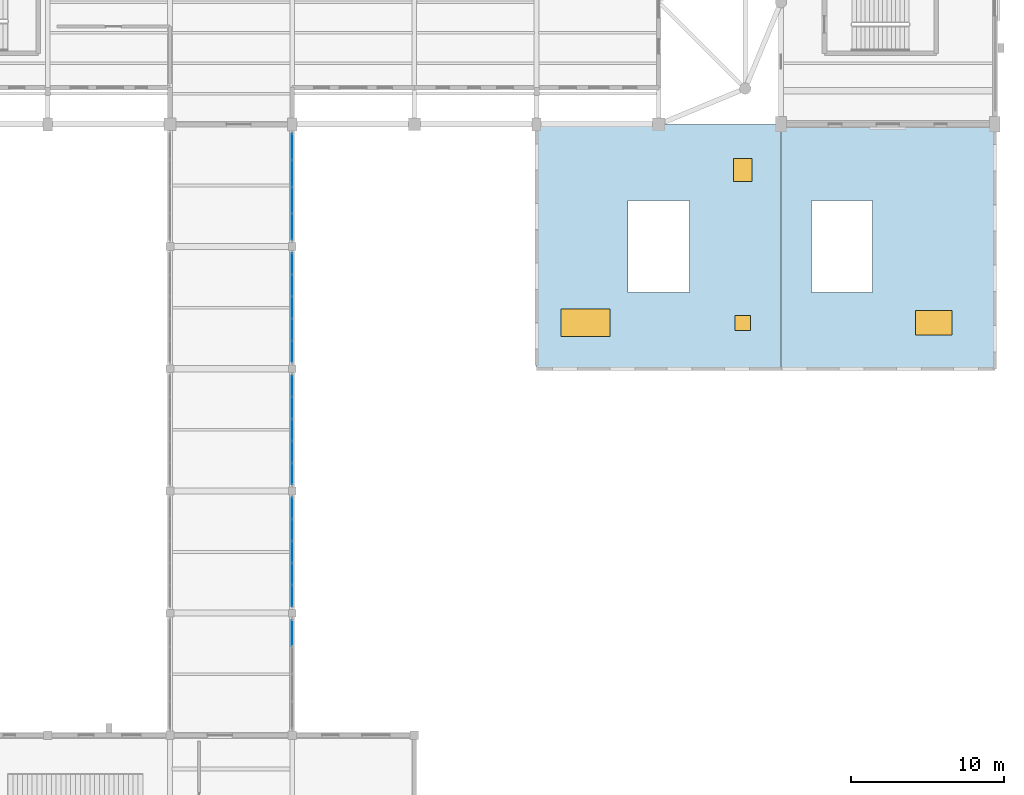
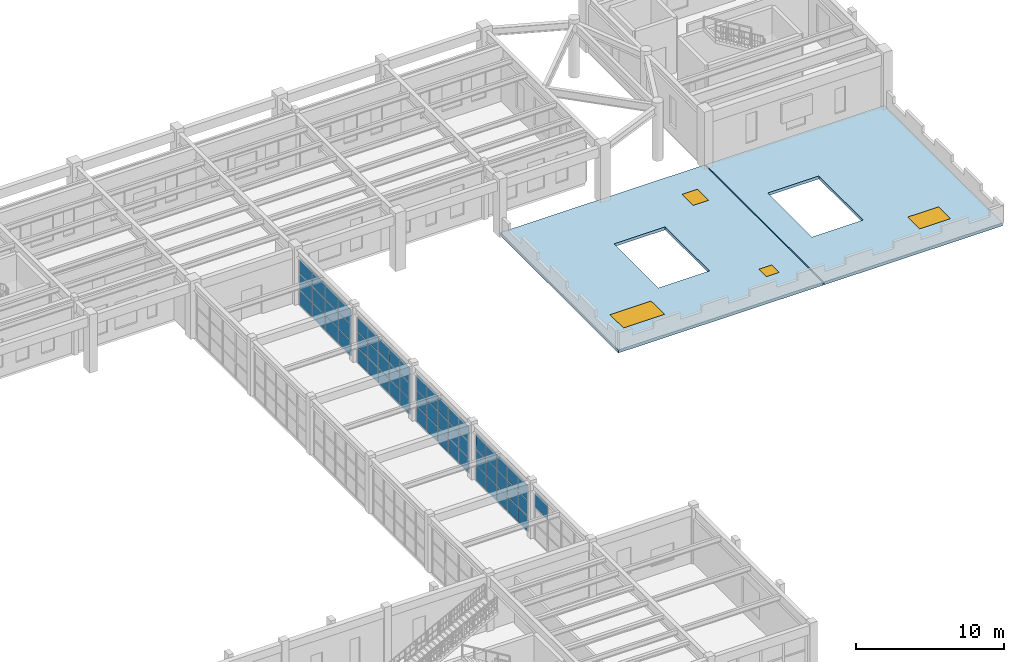
# One storey, part 36 of 59: 58 plates, 2 doors, 2 slabs, 2 windows, 4 openings, 5 elements without a shape of their own.
"""IFC4 building model written with IfcOpenShell, lengths in metres."""

from ifc_helpers import new_model, si_unit, direction, frame, origin, origin_2d, place, context, subcontext, project, spatial, polyline, rectangle, outline, extrude, material, layer, layer_set, type_object, element, fill, aggregate, save


model = new_model("IFC4")

# Units and contexts
model_context = context("Model", 3, precision=1e-05, world=origin(), true_north=direction((0.0, 1.0)))
body_context = subcontext(model_context, "Body", "Model", "MODEL_VIEW")
ifc_project = project(units=[si_unit("LENGTHUNIT", "METRE"), si_unit("AREAUNIT", "SQUARE_METRE"), si_unit("VOLUMEUNIT", "CUBIC_METRE"), si_unit("PLANEANGLEUNIT", "RADIAN"), si_unit("MASSUNIT", "GRAM", prefix="KILO")], contexts=[model_context])

# Site, building, storey
site_placement = place(None, origin())
site = spatial("IfcSite", under=ifc_project, at=site_placement, CompositionType="ELEMENT")
building_placement = place(site_placement, origin())
building = spatial("IfcBuilding", under=site, at=building_placement, Name="Serraluz Foothill Cableway Terminal", CompositionType="ELEMENT")
storey_placement = place(building_placement, frame((0.0, 0.0, 4.800048828125)))
storey = spatial("IfcBuildingStorey", under=building, at=storey_placement, Name="L01", CompositionType="ELEMENT", Elevation=4.800048828125)

# Curtain wall, plate
ifc_material_1 = material(Name="Architectural bronze alloy C28000", Category="aluminium")
curtain_wall_type = type_object("IfcCurtainWallType", Name="TYP-CW-710X420", PredefinedType="NOTDEFINED", material=ifc_material_1)
curtain_wall_1_placement = place(storey_placement, origin())
curtain_wall_1 = element("IfcCurtainWall", 1, at=curtain_wall_1_placement, inside=storey, type_object=curtain_wall_type, Name="Ribbed Glazed Curtain Wall CW-CLE-L01-16", PredefinedType="NOTDEFINED")
ifc_material_2 = material(Name="Translucent ribbed laminated channel glass", Category="glass")
ifc_layer_1 = layer(ifc_material_2, 0.028076171875, Name="Translucent ribbed laminated channel glass", Category="glass")
ifc_layer_set_1 = layer_set([ifc_layer_1], Name="Translucent ribbed laminated channel glass")
plate_type = type_object("IfcPlateType", Name="TYP-CW-PNL-28", PredefinedType="CURTAIN_PANEL", material=ifc_layer_set_1)
plate_1_placement = place(storey_placement, frame((128.0, 22.695556640625, 2.6591796875), z_axis=(0.0, 0.0, 1.0), x_axis=(0.0, -1.0, 0.0)))
plate_1 = element("IfcPlate", 2, at=plate_1_placement, type_object=plate_type, Name="CW-01 panel 1.3", PredefinedType="CURTAIN_PANEL", context=body_context, shape_type="SweptSolid", body=[
    extrude(rectangle(XDim=1.708740234375, YDim=0.028076171875, at=origin_2d()), origin(), (0.0, 0.0, 1.0), 1.224609375),
])
aggregate(curtain_wall_1, [plate_1])

# Curtain wall, plates
curtain_wall_2_placement = place(storey_placement, origin())
curtain_wall_2 = element("IfcCurtainWall", 3, at=curtain_wall_2_placement, inside=storey, type_object=curtain_wall_type, Name="Ribbed Glazed Curtain Wall CW-CLE-L01-24", PredefinedType="NOTDEFINED")
plate_2_placement = place(storey_placement, frame((128.0, 30.873046875, 0.06005859375), z_axis=(0.0, 0.0, 1.0), x_axis=(0.0, -1.0, 0.0)))
plate_2 = element("IfcPlate", 4, at=plate_2_placement, type_object=plate_type, Name="CW-01 panel 1.1", PredefinedType="CURTAIN_PANEL", context=body_context, shape_type="SweptSolid", body=[
    extrude(rectangle(XDim=1.35400390625, YDim=0.028076171875, at=origin_2d()), origin(), (0.0, 0.0, 1.0), 1.224609375),
])
plate_3_placement = place(storey_placement, frame((128.0, 30.873046875, 1.3447265625), z_axis=(0.0, 0.0, 1.0), x_axis=(0.0, -1.0, 0.0)))
plate_3 = element("IfcPlate", 5, at=plate_3_placement, type_object=plate_type, Name="CW-01 panel 1.2", PredefinedType="CURTAIN_PANEL", context=body_context, shape_type="SweptSolid", body=[
    extrude(rectangle(XDim=1.35400390625, YDim=0.028076171875, at=origin_2d()), origin(), (0.0, 0.0, 1.0), 1.254638671875),
])
plate_4_placement = place(storey_placement, frame((128.0, 30.873046875, 2.6591796875), z_axis=(0.0, 0.0, 1.0), x_axis=(0.0, -1.0, 0.0)))
plate_4 = element("IfcPlate", 6, at=plate_4_placement, type_object=plate_type, Name="CW-01 panel 1.3", PredefinedType="CURTAIN_PANEL", context=body_context, shape_type="SweptSolid", body=[
    extrude(rectangle(XDim=1.35400390625, YDim=0.028076171875, at=origin_2d()), origin(), (0.0, 0.0, 1.0), 1.224609375),
])
plate_5_placement = place(storey_placement, frame((128.0, 29.444091796875, 0.06005859375), z_axis=(0.0, 0.0, 1.0), x_axis=(0.0, -1.0, 0.0)))
plate_5 = element("IfcPlate", 7, at=plate_5_placement, type_object=plate_type, Name="CW-01 panel 2.1", PredefinedType="CURTAIN_PANEL", context=body_context, shape_type="SweptSolid", body=[
    extrude(rectangle(XDim=1.384033203125, YDim=0.028076171875, at=origin_2d()), origin(), (0.0, 0.0, 1.0), 1.224609375),
])
plate_6_placement = place(storey_placement, frame((128.0, 29.444091796875, 1.3447265625), z_axis=(0.0, 0.0, 1.0), x_axis=(0.0, -1.0, 0.0)))
plate_6 = element("IfcPlate", 8, at=plate_6_placement, type_object=plate_type, Name="CW-01 panel 2.2", PredefinedType="CURTAIN_PANEL", context=body_context, shape_type="SweptSolid", body=[
    extrude(rectangle(XDim=1.384033203125, YDim=0.028076171875, at=origin_2d()), origin(), (0.0, 0.0, 1.0), 1.254638671875),
])
plate_7_placement = place(storey_placement, frame((128.0, 29.444091796875, 2.6591796875), z_axis=(0.0, 0.0, 1.0), x_axis=(0.0, -1.0, 0.0)))
plate_7 = element("IfcPlate", 9, at=plate_7_placement, type_object=plate_type, Name="CW-01 panel 2.3", PredefinedType="CURTAIN_PANEL", context=body_context, shape_type="SweptSolid", body=[
    extrude(rectangle(XDim=1.384033203125, YDim=0.028076171875, at=origin_2d()), origin(), (0.0, 0.0, 1.0), 1.224609375),
])
plate_8_placement = place(storey_placement, frame((128.0, 28.0, 0.06005859375), z_axis=(0.0, 0.0, 1.0), x_axis=(0.0, -1.0, 0.0)))
plate_8 = element("IfcPlate", 10, at=plate_8_placement, type_object=plate_type, Name="CW-01 panel 3.1", PredefinedType="CURTAIN_PANEL", context=body_context, shape_type="SweptSolid", body=[
    extrude(rectangle(XDim=1.384033203125, YDim=0.028076171875, at=origin_2d()), origin(), (0.0, 0.0, 1.0), 1.224609375),
])
plate_9_placement = place(storey_placement, frame((128.0, 28.0, 1.3447265625), z_axis=(0.0, 0.0, 1.0), x_axis=(0.0, -1.0, 0.0)))
plate_9 = element("IfcPlate", 11, at=plate_9_placement, type_object=plate_type, Name="CW-01 panel 3.2", PredefinedType="CURTAIN_PANEL", context=body_context, shape_type="SweptSolid", body=[
    extrude(rectangle(XDim=1.384033203125, YDim=0.028076171875, at=origin_2d()), origin(), (0.0, 0.0, 1.0), 1.254638671875),
])
plate_10_placement = place(storey_placement, frame((128.0, 28.0, 2.6591796875), z_axis=(0.0, 0.0, 1.0), x_axis=(0.0, -1.0, 0.0)))
plate_10 = element("IfcPlate", 12, at=plate_10_placement, type_object=plate_type, Name="CW-01 panel 3.3", PredefinedType="CURTAIN_PANEL", context=body_context, shape_type="SweptSolid", body=[
    extrude(rectangle(XDim=1.384033203125, YDim=0.028076171875, at=origin_2d()), origin(), (0.0, 0.0, 1.0), 1.224609375),
])
plate_11_placement = place(storey_placement, frame((128.0, 26.555908203125, 0.06005859375), z_axis=(0.0, 0.0, 1.0), x_axis=(0.0, -1.0, 0.0)))
plate_11 = element("IfcPlate", 13, at=plate_11_placement, type_object=plate_type, Name="CW-01 panel 4.1", PredefinedType="CURTAIN_PANEL", context=body_context, shape_type="SweptSolid", body=[
    extrude(rectangle(XDim=1.384033203125, YDim=0.028076171875, at=origin_2d()), origin(), (0.0, 0.0, 1.0), 1.224609375),
])
plate_12_placement = place(storey_placement, frame((128.0, 26.555908203125, 1.3447265625), z_axis=(0.0, 0.0, 1.0), x_axis=(0.0, -1.0, 0.0)))
plate_12 = element("IfcPlate", 14, at=plate_12_placement, type_object=plate_type, Name="CW-01 panel 4.2", PredefinedType="CURTAIN_PANEL", context=body_context, shape_type="SweptSolid", body=[
    extrude(rectangle(XDim=1.384033203125, YDim=0.028076171875, at=origin_2d()), origin(), (0.0, 0.0, 1.0), 1.254638671875),
])
plate_13_placement = place(storey_placement, frame((128.0, 26.555908203125, 2.6591796875), z_axis=(0.0, 0.0, 1.0), x_axis=(0.0, -1.0, 0.0)))
plate_13 = element("IfcPlate", 15, at=plate_13_placement, type_object=plate_type, Name="CW-01 panel 4.3", PredefinedType="CURTAIN_PANEL", context=body_context, shape_type="SweptSolid", body=[
    extrude(rectangle(XDim=1.384033203125, YDim=0.028076171875, at=origin_2d()), origin(), (0.0, 0.0, 1.0), 1.224609375),
])
plate_14_placement = place(storey_placement, frame((128.0, 25.126953125, 0.06005859375), z_axis=(0.0, 0.0, 1.0), x_axis=(0.0, -1.0, 0.0)))
plate_14 = element("IfcPlate", 16, at=plate_14_placement, type_object=plate_type, Name="CW-01 panel 5.1", PredefinedType="CURTAIN_PANEL", context=body_context, shape_type="SweptSolid", body=[
    extrude(rectangle(XDim=1.35400390625, YDim=0.028076171875, at=origin_2d()), origin(), (0.0, 0.0, 1.0), 1.224609375),
])
plate_15_placement = place(storey_placement, frame((128.0, 25.126953125, 1.3447265625), z_axis=(0.0, 0.0, 1.0), x_axis=(0.0, -1.0, 0.0)))
plate_15 = element("IfcPlate", 17, at=plate_15_placement, type_object=plate_type, Name="CW-01 panel 5.2", PredefinedType="CURTAIN_PANEL", context=body_context, shape_type="SweptSolid", body=[
    extrude(rectangle(XDim=1.35400390625, YDim=0.028076171875, at=origin_2d()), origin(), (0.0, 0.0, 1.0), 1.254638671875),
])
plate_16_placement = place(storey_placement, frame((128.0, 25.126953125, 2.6591796875), z_axis=(0.0, 0.0, 1.0), x_axis=(0.0, -1.0, 0.0)))
plate_16 = element("IfcPlate", 18, at=plate_16_placement, type_object=plate_type, Name="CW-01 panel 5.3", PredefinedType="CURTAIN_PANEL", context=body_context, shape_type="SweptSolid", body=[
    extrude(rectangle(XDim=1.35400390625, YDim=0.028076171875, at=origin_2d()), origin(), (0.0, 0.0, 1.0), 1.224609375),
])
aggregate(curtain_wall_2, [plate_2, plate_3, plate_4, plate_5, plate_6, plate_7, plate_8, plate_9, plate_10, plate_11, plate_12, plate_13, plate_14, plate_15, plate_16])

curtain_wall_3_placement = place(storey_placement, origin())
curtain_wall_3 = element("IfcCurtainWall", 19, at=curtain_wall_3_placement, inside=storey, type_object=curtain_wall_type, Name="Ribbed Glazed Curtain Wall CW-CLE-L01-32", PredefinedType="NOTDEFINED")
plate_17_placement = place(storey_placement, frame((128.0, 38.873046875, 0.06005859375), z_axis=(0.0, 0.0, 1.0), x_axis=(0.0, -1.0, 0.0)))
plate_17 = element("IfcPlate", 20, at=plate_17_placement, type_object=plate_type, Name="CW-01 panel 1.1", PredefinedType="CURTAIN_PANEL", context=body_context, shape_type="SweptSolid", body=[
    extrude(rectangle(XDim=1.35400390625, YDim=0.028076171875, at=origin_2d()), origin(), (0.0, 0.0, 1.0), 1.224609375),
])
plate_18_placement = place(storey_placement, frame((128.0, 38.873046875, 1.3447265625), z_axis=(0.0, 0.0, 1.0), x_axis=(0.0, -1.0, 0.0)))
plate_18 = element("IfcPlate", 21, at=plate_18_placement, type_object=plate_type, Name="CW-01 panel 1.2", PredefinedType="CURTAIN_PANEL", context=body_context, shape_type="SweptSolid", body=[
    extrude(rectangle(XDim=1.35400390625, YDim=0.028076171875, at=origin_2d()), origin(), (0.0, 0.0, 1.0), 1.254638671875),
])
plate_19_placement = place(storey_placement, frame((128.0, 38.873046875, 2.6591796875), z_axis=(0.0, 0.0, 1.0), x_axis=(0.0, -1.0, 0.0)))
plate_19 = element("IfcPlate", 22, at=plate_19_placement, type_object=plate_type, Name="CW-01 panel 1.3", PredefinedType="CURTAIN_PANEL", context=body_context, shape_type="SweptSolid", body=[
    extrude(rectangle(XDim=1.35400390625, YDim=0.028076171875, at=origin_2d()), origin(), (0.0, 0.0, 1.0), 1.224609375),
])
plate_20_placement = place(storey_placement, frame((128.0, 37.444091796875, 0.06005859375), z_axis=(0.0, 0.0, 1.0), x_axis=(0.0, -1.0, 0.0)))
plate_20 = element("IfcPlate", 23, at=plate_20_placement, type_object=plate_type, Name="CW-01 panel 2.1", PredefinedType="CURTAIN_PANEL", context=body_context, shape_type="SweptSolid", body=[
    extrude(rectangle(XDim=1.384033203125, YDim=0.028076171875, at=origin_2d()), origin(), (0.0, 0.0, 1.0), 1.224609375),
])
plate_21_placement = place(storey_placement, frame((128.0, 37.444091796875, 1.3447265625), z_axis=(0.0, 0.0, 1.0), x_axis=(0.0, -1.0, 0.0)))
plate_21 = element("IfcPlate", 24, at=plate_21_placement, type_object=plate_type, Name="CW-01 panel 2.2", PredefinedType="CURTAIN_PANEL", context=body_context, shape_type="SweptSolid", body=[
    extrude(rectangle(XDim=1.384033203125, YDim=0.028076171875, at=origin_2d()), origin(), (0.0, 0.0, 1.0), 1.254638671875),
])
plate_22_placement = place(storey_placement, frame((128.0, 37.444091796875, 2.6591796875), z_axis=(0.0, 0.0, 1.0), x_axis=(0.0, -1.0, 0.0)))
plate_22 = element("IfcPlate", 25, at=plate_22_placement, type_object=plate_type, Name="CW-01 panel 2.3", PredefinedType="CURTAIN_PANEL", context=body_context, shape_type="SweptSolid", body=[
    extrude(rectangle(XDim=1.384033203125, YDim=0.028076171875, at=origin_2d()), origin(), (0.0, 0.0, 1.0), 1.224609375),
])
plate_23_placement = place(storey_placement, frame((128.0, 36.0, 0.06005859375), z_axis=(0.0, 0.0, 1.0), x_axis=(0.0, -1.0, 0.0)))
plate_23 = element("IfcPlate", 26, at=plate_23_placement, type_object=plate_type, Name="CW-01 panel 3.1", PredefinedType="CURTAIN_PANEL", context=body_context, shape_type="SweptSolid", body=[
    extrude(rectangle(XDim=1.384033203125, YDim=0.028076171875, at=origin_2d()), origin(), (0.0, 0.0, 1.0), 1.224609375),
])
plate_24_placement = place(storey_placement, frame((128.0, 36.0, 1.3447265625), z_axis=(0.0, 0.0, 1.0), x_axis=(0.0, -1.0, 0.0)))
plate_24 = element("IfcPlate", 27, at=plate_24_placement, type_object=plate_type, Name="CW-01 panel 3.2", PredefinedType="CURTAIN_PANEL", context=body_context, shape_type="SweptSolid", body=[
    extrude(rectangle(XDim=1.384033203125, YDim=0.028076171875, at=origin_2d()), origin(), (0.0, 0.0, 1.0), 1.254638671875),
])
plate_25_placement = place(storey_placement, frame((128.0, 36.0, 2.6591796875), z_axis=(0.0, 0.0, 1.0), x_axis=(0.0, -1.0, 0.0)))
plate_25 = element("IfcPlate", 28, at=plate_25_placement, type_object=plate_type, Name="CW-01 panel 3.3", PredefinedType="CURTAIN_PANEL", context=body_context, shape_type="SweptSolid", body=[
    extrude(rectangle(XDim=1.384033203125, YDim=0.028076171875, at=origin_2d()), origin(), (0.0, 0.0, 1.0), 1.224609375),
])
plate_26_placement = place(storey_placement, frame((128.0, 34.555908203125, 0.06005859375), z_axis=(0.0, 0.0, 1.0), x_axis=(0.0, -1.0, 0.0)))
plate_26 = element("IfcPlate", 29, at=plate_26_placement, type_object=plate_type, Name="CW-01 panel 4.1", PredefinedType="CURTAIN_PANEL", context=body_context, shape_type="SweptSolid", body=[
    extrude(rectangle(XDim=1.384033203125, YDim=0.028076171875, at=origin_2d()), origin(), (0.0, 0.0, 1.0), 1.224609375),
])
plate_27_placement = place(storey_placement, frame((128.0, 34.555908203125, 1.3447265625), z_axis=(0.0, 0.0, 1.0), x_axis=(0.0, -1.0, 0.0)))
plate_27 = element("IfcPlate", 30, at=plate_27_placement, type_object=plate_type, Name="CW-01 panel 4.2", PredefinedType="CURTAIN_PANEL", context=body_context, shape_type="SweptSolid", body=[
    extrude(rectangle(XDim=1.384033203125, YDim=0.028076171875, at=origin_2d()), origin(), (0.0, 0.0, 1.0), 1.254638671875),
])
plate_28_placement = place(storey_placement, frame((128.0, 34.555908203125, 2.6591796875), z_axis=(0.0, 0.0, 1.0), x_axis=(0.0, -1.0, 0.0)))
plate_28 = element("IfcPlate", 31, at=plate_28_placement, type_object=plate_type, Name="CW-01 panel 4.3", PredefinedType="CURTAIN_PANEL", context=body_context, shape_type="SweptSolid", body=[
    extrude(rectangle(XDim=1.384033203125, YDim=0.028076171875, at=origin_2d()), origin(), (0.0, 0.0, 1.0), 1.224609375),
])
plate_29_placement = place(storey_placement, frame((128.0, 33.126953125, 0.06005859375), z_axis=(0.0, 0.0, 1.0), x_axis=(0.0, -1.0, 0.0)))
plate_29 = element("IfcPlate", 32, at=plate_29_placement, type_object=plate_type, Name="CW-01 panel 5.1", PredefinedType="CURTAIN_PANEL", context=body_context, shape_type="SweptSolid", body=[
    extrude(rectangle(XDim=1.35400390625, YDim=0.028076171875, at=origin_2d()), origin(), (0.0, 0.0, 1.0), 1.224609375),
])
plate_30_placement = place(storey_placement, frame((128.0, 33.126953125, 1.3447265625), z_axis=(0.0, 0.0, 1.0), x_axis=(0.0, -1.0, 0.0)))
plate_30 = element("IfcPlate", 33, at=plate_30_placement, type_object=plate_type, Name="CW-01 panel 5.2", PredefinedType="CURTAIN_PANEL", context=body_context, shape_type="SweptSolid", body=[
    extrude(rectangle(XDim=1.35400390625, YDim=0.028076171875, at=origin_2d()), origin(), (0.0, 0.0, 1.0), 1.254638671875),
])
plate_31_placement = place(storey_placement, frame((128.0, 33.126953125, 2.6591796875), z_axis=(0.0, 0.0, 1.0), x_axis=(0.0, -1.0, 0.0)))
plate_31 = element("IfcPlate", 34, at=plate_31_placement, type_object=plate_type, Name="CW-01 panel 5.3", PredefinedType="CURTAIN_PANEL", context=body_context, shape_type="SweptSolid", body=[
    extrude(rectangle(XDim=1.35400390625, YDim=0.028076171875, at=origin_2d()), origin(), (0.0, 0.0, 1.0), 1.224609375),
])
aggregate(curtain_wall_3, [plate_17, plate_18, plate_19, plate_20, plate_21, plate_22, plate_23, plate_24, plate_25, plate_26, plate_27, plate_28, plate_29, plate_30, plate_31])

curtain_wall_4_placement = place(storey_placement, origin())
curtain_wall_4 = element("IfcCurtainWall", 35, at=curtain_wall_4_placement, inside=storey, type_object=curtain_wall_type, Name="Ribbed Glazed Curtain Wall CW-CLE-L01-40", PredefinedType="NOTDEFINED")
plate_32_placement = place(storey_placement, frame((128.0, 46.873046875, 0.06005859375), z_axis=(0.0, 0.0, 1.0), x_axis=(0.0, -1.0, 0.0)))
plate_32 = element("IfcPlate", 36, at=plate_32_placement, type_object=plate_type, Name="CW-01 panel 1.1", PredefinedType="CURTAIN_PANEL", context=body_context, shape_type="SweptSolid", body=[
    extrude(rectangle(XDim=1.35400390625, YDim=0.028076171875, at=origin_2d()), origin(), (0.0, 0.0, 1.0), 1.224609375),
])
plate_33_placement = place(storey_placement, frame((128.0, 46.873046875, 1.3447265625), z_axis=(0.0, 0.0, 1.0), x_axis=(0.0, -1.0, 0.0)))
plate_33 = element("IfcPlate", 37, at=plate_33_placement, type_object=plate_type, Name="CW-01 panel 1.2", PredefinedType="CURTAIN_PANEL", context=body_context, shape_type="SweptSolid", body=[
    extrude(rectangle(XDim=1.35400390625, YDim=0.028076171875, at=origin_2d()), origin(), (0.0, 0.0, 1.0), 1.254638671875),
])
plate_34_placement = place(storey_placement, frame((128.0, 46.873046875, 2.6591796875), z_axis=(0.0, 0.0, 1.0), x_axis=(0.0, -1.0, 0.0)))
plate_34 = element("IfcPlate", 38, at=plate_34_placement, type_object=plate_type, Name="CW-01 panel 1.3", PredefinedType="CURTAIN_PANEL", context=body_context, shape_type="SweptSolid", body=[
    extrude(rectangle(XDim=1.35400390625, YDim=0.028076171875, at=origin_2d()), origin(), (0.0, 0.0, 1.0), 1.224609375),
])
plate_35_placement = place(storey_placement, frame((128.0, 45.444091796875, 0.06005859375), z_axis=(0.0, 0.0, 1.0), x_axis=(0.0, -1.0, 0.0)))
plate_35 = element("IfcPlate", 39, at=plate_35_placement, type_object=plate_type, Name="CW-01 panel 2.1", PredefinedType="CURTAIN_PANEL", context=body_context, shape_type="SweptSolid", body=[
    extrude(rectangle(XDim=1.384033203125, YDim=0.028076171875, at=origin_2d()), origin(), (0.0, 0.0, 1.0), 1.224609375),
])
plate_36_placement = place(storey_placement, frame((128.0, 45.444091796875, 1.3447265625), z_axis=(0.0, 0.0, 1.0), x_axis=(0.0, -1.0, 0.0)))
plate_36 = element("IfcPlate", 40, at=plate_36_placement, type_object=plate_type, Name="CW-01 panel 2.2", PredefinedType="CURTAIN_PANEL", context=body_context, shape_type="SweptSolid", body=[
    extrude(rectangle(XDim=1.384033203125, YDim=0.028076171875, at=origin_2d()), origin(), (0.0, 0.0, 1.0), 1.254638671875),
])
plate_37_placement = place(storey_placement, frame((128.0, 45.444091796875, 2.6591796875), z_axis=(0.0, 0.0, 1.0), x_axis=(0.0, -1.0, 0.0)))
plate_37 = element("IfcPlate", 41, at=plate_37_placement, type_object=plate_type, Name="CW-01 panel 2.3", PredefinedType="CURTAIN_PANEL", context=body_context, shape_type="SweptSolid", body=[
    extrude(rectangle(XDim=1.384033203125, YDim=0.028076171875, at=origin_2d()), origin(), (0.0, 0.0, 1.0), 1.224609375),
])
plate_38_placement = place(storey_placement, frame((128.0, 44.0, 0.06005859375), z_axis=(0.0, 0.0, 1.0), x_axis=(0.0, -1.0, 0.0)))
plate_38 = element("IfcPlate", 42, at=plate_38_placement, type_object=plate_type, Name="CW-01 panel 3.1", PredefinedType="CURTAIN_PANEL", context=body_context, shape_type="SweptSolid", body=[
    extrude(rectangle(XDim=1.384033203125, YDim=0.028076171875, at=origin_2d()), origin(), (0.0, 0.0, 1.0), 1.224609375),
])
plate_39_placement = place(storey_placement, frame((128.0, 44.0, 1.3447265625), z_axis=(0.0, 0.0, 1.0), x_axis=(0.0, -1.0, 0.0)))
plate_39 = element("IfcPlate", 43, at=plate_39_placement, type_object=plate_type, Name="CW-01 panel 3.2", PredefinedType="CURTAIN_PANEL", context=body_context, shape_type="SweptSolid", body=[
    extrude(rectangle(XDim=1.384033203125, YDim=0.028076171875, at=origin_2d()), origin(), (0.0, 0.0, 1.0), 1.254638671875),
])
plate_40_placement = place(storey_placement, frame((128.0, 44.0, 2.6591796875), z_axis=(0.0, 0.0, 1.0), x_axis=(0.0, -1.0, 0.0)))
plate_40 = element("IfcPlate", 44, at=plate_40_placement, type_object=plate_type, Name="CW-01 panel 3.3", PredefinedType="CURTAIN_PANEL", context=body_context, shape_type="SweptSolid", body=[
    extrude(rectangle(XDim=1.384033203125, YDim=0.028076171875, at=origin_2d()), origin(), (0.0, 0.0, 1.0), 1.224609375),
])
plate_41_placement = place(storey_placement, frame((128.0, 42.555908203125, 0.06005859375), z_axis=(0.0, 0.0, 1.0), x_axis=(0.0, -1.0, 0.0)))
plate_41 = element("IfcPlate", 45, at=plate_41_placement, type_object=plate_type, Name="CW-01 panel 4.1", PredefinedType="CURTAIN_PANEL", context=body_context, shape_type="SweptSolid", body=[
    extrude(rectangle(XDim=1.384033203125, YDim=0.028076171875, at=origin_2d()), origin(), (0.0, 0.0, 1.0), 1.224609375),
])
plate_42_placement = place(storey_placement, frame((128.0, 42.555908203125, 1.3447265625), z_axis=(0.0, 0.0, 1.0), x_axis=(0.0, -1.0, 0.0)))
plate_42 = element("IfcPlate", 46, at=plate_42_placement, type_object=plate_type, Name="CW-01 panel 4.2", PredefinedType="CURTAIN_PANEL", context=body_context, shape_type="SweptSolid", body=[
    extrude(rectangle(XDim=1.384033203125, YDim=0.028076171875, at=origin_2d()), origin(), (0.0, 0.0, 1.0), 1.254638671875),
])
plate_43_placement = place(storey_placement, frame((128.0, 42.555908203125, 2.6591796875), z_axis=(0.0, 0.0, 1.0), x_axis=(0.0, -1.0, 0.0)))
plate_43 = element("IfcPlate", 47, at=plate_43_placement, type_object=plate_type, Name="CW-01 panel 4.3", PredefinedType="CURTAIN_PANEL", context=body_context, shape_type="SweptSolid", body=[
    extrude(rectangle(XDim=1.384033203125, YDim=0.028076171875, at=origin_2d()), origin(), (0.0, 0.0, 1.0), 1.224609375),
])
plate_44_placement = place(storey_placement, frame((128.0, 41.126953125, 0.06005859375), z_axis=(0.0, 0.0, 1.0), x_axis=(0.0, -1.0, 0.0)))
plate_44 = element("IfcPlate", 48, at=plate_44_placement, type_object=plate_type, Name="CW-01 panel 5.1", PredefinedType="CURTAIN_PANEL", context=body_context, shape_type="SweptSolid", body=[
    extrude(rectangle(XDim=1.35400390625, YDim=0.028076171875, at=origin_2d()), origin(), (0.0, 0.0, 1.0), 1.224609375),
])
plate_45_placement = place(storey_placement, frame((128.0, 41.126953125, 1.3447265625), z_axis=(0.0, 0.0, 1.0), x_axis=(0.0, -1.0, 0.0)))
plate_45 = element("IfcPlate", 49, at=plate_45_placement, type_object=plate_type, Name="CW-01 panel 5.2", PredefinedType="CURTAIN_PANEL", context=body_context, shape_type="SweptSolid", body=[
    extrude(rectangle(XDim=1.35400390625, YDim=0.028076171875, at=origin_2d()), origin(), (0.0, 0.0, 1.0), 1.254638671875),
])
plate_46_placement = place(storey_placement, frame((128.0, 41.126953125, 2.6591796875), z_axis=(0.0, 0.0, 1.0), x_axis=(0.0, -1.0, 0.0)))
plate_46 = element("IfcPlate", 50, at=plate_46_placement, type_object=plate_type, Name="CW-01 panel 5.3", PredefinedType="CURTAIN_PANEL", context=body_context, shape_type="SweptSolid", body=[
    extrude(rectangle(XDim=1.35400390625, YDim=0.028076171875, at=origin_2d()), origin(), (0.0, 0.0, 1.0), 1.224609375),
])
aggregate(curtain_wall_4, [plate_32, plate_33, plate_34, plate_35, plate_36, plate_37, plate_38, plate_39, plate_40, plate_41, plate_42, plate_43, plate_44, plate_45, plate_46])

curtain_wall_5_placement = place(storey_placement, origin())
curtain_wall_5 = element("IfcCurtainWall", 51, at=curtain_wall_5_placement, inside=storey, type_object=curtain_wall_type, Name="Ribbed Glazed Curtain Wall CW-CLE-L01-48", PredefinedType="NOTDEFINED")
plate_47_placement = place(storey_placement, frame((128.0, 54.539306640625, 0.06005859375), z_axis=(0.0, 0.0, 1.0), x_axis=(0.0, -1.0, 0.0)))
plate_47 = element("IfcPlate", 52, at=plate_47_placement, type_object=plate_type, Name="CW-01 panel 1.1", PredefinedType="CURTAIN_PANEL", context=body_context, shape_type="SweptSolid", body=[
    extrude(rectangle(XDim=1.671142578125, YDim=0.028076171875, at=origin_2d()), origin(), (0.0, 0.0, 1.0), 1.224609375),
])
plate_48_placement = place(storey_placement, frame((128.0, 54.539306640625, 1.3447265625), z_axis=(0.0, 0.0, 1.0), x_axis=(0.0, -1.0, 0.0)))
plate_48 = element("IfcPlate", 53, at=plate_48_placement, type_object=plate_type, Name="CW-01 panel 1.2", PredefinedType="CURTAIN_PANEL", context=body_context, shape_type="SweptSolid", body=[
    extrude(rectangle(XDim=1.671142578125, YDim=0.028076171875, at=origin_2d()), origin(), (0.0, 0.0, 1.0), 1.254638671875),
])
plate_49_placement = place(storey_placement, frame((128.0, 54.539306640625, 2.6591796875), z_axis=(0.0, 0.0, 1.0), x_axis=(0.0, -1.0, 0.0)))
plate_49 = element("IfcPlate", 54, at=plate_49_placement, type_object=plate_type, Name="CW-01 panel 1.3", PredefinedType="CURTAIN_PANEL", context=body_context, shape_type="SweptSolid", body=[
    extrude(rectangle(XDim=1.671142578125, YDim=0.028076171875, at=origin_2d()), origin(), (0.0, 0.0, 1.0), 1.224609375),
])
plate_50_placement = place(storey_placement, frame((128.0, 52.793212890625, 0.06005859375), z_axis=(0.0, 0.0, 1.0), x_axis=(0.0, -1.0, 0.0)))
plate_50 = element("IfcPlate", 55, at=plate_50_placement, type_object=plate_type, Name="CW-01 panel 2.1", PredefinedType="CURTAIN_PANEL", context=body_context, shape_type="SweptSolid", body=[
    extrude(rectangle(XDim=1.701171875, YDim=0.028076171875, at=origin_2d()), origin(), (0.0, 0.0, 1.0), 1.224609375),
])
plate_51_placement = place(storey_placement, frame((128.0, 52.793212890625, 1.3447265625), z_axis=(0.0, 0.0, 1.0), x_axis=(0.0, -1.0, 0.0)))
plate_51 = element("IfcPlate", 56, at=plate_51_placement, type_object=plate_type, Name="CW-01 panel 2.2", PredefinedType="CURTAIN_PANEL", context=body_context, shape_type="SweptSolid", body=[
    extrude(rectangle(XDim=1.701171875, YDim=0.028076171875, at=origin_2d()), origin(), (0.0, 0.0, 1.0), 1.254638671875),
])
plate_52_placement = place(storey_placement, frame((128.0, 52.793212890625, 2.6591796875), z_axis=(0.0, 0.0, 1.0), x_axis=(0.0, -1.0, 0.0)))
plate_52 = element("IfcPlate", 57, at=plate_52_placement, type_object=plate_type, Name="CW-01 panel 2.3", PredefinedType="CURTAIN_PANEL", context=body_context, shape_type="SweptSolid", body=[
    extrude(rectangle(XDim=1.701171875, YDim=0.028076171875, at=origin_2d()), origin(), (0.0, 0.0, 1.0), 1.224609375),
])
plate_53_placement = place(storey_placement, frame((128.0, 51.031982421875, 0.06005859375), z_axis=(0.0, 0.0, 1.0), x_axis=(0.0, -1.0, 0.0)))
plate_53 = element("IfcPlate", 58, at=plate_53_placement, type_object=plate_type, Name="CW-01 panel 3.1", PredefinedType="CURTAIN_PANEL", context=body_context, shape_type="SweptSolid", body=[
    extrude(rectangle(XDim=1.701171875, YDim=0.028076171875, at=origin_2d()), origin(), (0.0, 0.0, 1.0), 1.224609375),
])
plate_54_placement = place(storey_placement, frame((128.0, 51.031982421875, 1.3447265625), z_axis=(0.0, 0.0, 1.0), x_axis=(0.0, -1.0, 0.0)))
plate_54 = element("IfcPlate", 59, at=plate_54_placement, type_object=plate_type, Name="CW-01 panel 3.2", PredefinedType="CURTAIN_PANEL", context=body_context, shape_type="SweptSolid", body=[
    extrude(rectangle(XDim=1.701171875, YDim=0.028076171875, at=origin_2d()), origin(), (0.0, 0.0, 1.0), 1.254638671875),
])
plate_55_placement = place(storey_placement, frame((128.0, 51.031982421875, 2.6591796875), z_axis=(0.0, 0.0, 1.0), x_axis=(0.0, -1.0, 0.0)))
plate_55 = element("IfcPlate", 60, at=plate_55_placement, type_object=plate_type, Name="CW-01 panel 3.3", PredefinedType="CURTAIN_PANEL", context=body_context, shape_type="SweptSolid", body=[
    extrude(rectangle(XDim=1.701171875, YDim=0.028076171875, at=origin_2d()), origin(), (0.0, 0.0, 1.0), 1.224609375),
])
plate_56_placement = place(storey_placement, frame((128.0, 49.28564453125, 0.06005859375), z_axis=(0.0, 0.0, 1.0), x_axis=(0.0, -1.0, 0.0)))
plate_56 = element("IfcPlate", 61, at=plate_56_placement, type_object=plate_type, Name="CW-01 panel 4.1", PredefinedType="CURTAIN_PANEL", context=body_context, shape_type="SweptSolid", body=[
    extrude(rectangle(XDim=1.671142578125, YDim=0.028076171875, at=origin_2d()), origin(), (0.0, 0.0, 1.0), 1.224609375),
])
plate_57_placement = place(storey_placement, frame((128.0, 49.28564453125, 1.3447265625), z_axis=(0.0, 0.0, 1.0), x_axis=(0.0, -1.0, 0.0)))
plate_57 = element("IfcPlate", 62, at=plate_57_placement, type_object=plate_type, Name="CW-01 panel 4.2", PredefinedType="CURTAIN_PANEL", context=body_context, shape_type="SweptSolid", body=[
    extrude(rectangle(XDim=1.671142578125, YDim=0.028076171875, at=origin_2d()), origin(), (0.0, 0.0, 1.0), 1.254638671875),
])
plate_58_placement = place(storey_placement, frame((128.0, 49.28564453125, 2.6591796875), z_axis=(0.0, 0.0, 1.0), x_axis=(0.0, -1.0, 0.0)))
plate_58 = element("IfcPlate", 63, at=plate_58_placement, type_object=plate_type, Name="CW-01 panel 4.3", PredefinedType="CURTAIN_PANEL", context=body_context, shape_type="SweptSolid", body=[
    extrude(rectangle(XDim=1.671142578125, YDim=0.028076171875, at=origin_2d()), origin(), (0.0, 0.0, 1.0), 1.224609375),
])
aggregate(curtain_wall_5, [plate_47, plate_48, plate_49, plate_50, plate_51, plate_52, plate_53, plate_54, plate_55, plate_56, plate_57, plate_58])

# Slab, openings, doors, window
ifc_material_3 = material(Name="Concrete C28/35 (f'c 28 MPa)", Category="concrete")
ifc_layer_2 = layer(ifc_material_3, 0.239990234375, Name="Concrete C28/35 (f'c 28 MPa)", Category="concrete")
ifc_layer_set_2 = layer_set([ifc_layer_2], Name="Concrete C28/35 (f'c 28 MPa)")
slab_type = type_object("IfcSlabType", Name="TYP-SLB-ROOF-240", PredefinedType="ROOF", material=ifc_layer_set_2)
slab_1_placement = place(storey_placement, frame((0.0, 0.0, -0.179931640625)))
slab_1 = element("IfcSlab", 64, at=slab_1_placement, inside=storey, type_object=slab_type, Name="Structural Roof Deck ROOF-L01-V2SW", PredefinedType="ROOF", context=body_context, shape_type="SweptSolid", body=[
    extrude(outline(polyline([(144.0, 40.0), (159.96240234375, 40.0), (159.96240234375, 56.0), (144.0, 56.0), (144.0, 40.0)]), holes=[polyline([(150.0, 45.0), (154.0, 45.0), (154.0, 51.0), (150.0, 51.0), (150.0, 45.0)])]), origin(), (0.0, 0.0, 1.0), 0.239990234375),
])
opening_1_placement = place(slab_1_placement, frame((147.199951171875, 43.0, -0.010009765625)))
opening_1 = element("IfcOpeningElement", 65, at=opening_1_placement, cuts=slab_1, Name="Opening SK-03", PredefinedType="OPENING", context=body_context, shape_type="SweptSolid", body=[
    extrude(rectangle(XDim=3.199951171875, YDim=1.800048828125, at=origin_2d()), origin(), (0.0, 0.0, 1.0), 0.260009765625),
])
opening_2_placement = place(slab_1_placement, frame((157.5, 43.0, -0.010009765625)))
opening_2 = element("IfcOpeningElement", 66, at=opening_2_placement, cuts=slab_1, Name="Opening RH-01", PredefinedType="OPENING", context=body_context, shape_type="SweptSolid", body=[
    extrude(rectangle(XDim=1.0, YDim=1.0, at=origin_2d()), origin(), (0.0, 0.0, 1.0), 0.260009765625),
])
opening_3_placement = place(slab_1_placement, frame((157.5, 53.0, -0.010009765625)))
opening_3 = element("IfcOpeningElement", 67, at=opening_3_placement, cuts=slab_1, Name="Opening RH-02", PredefinedType="OPENING", context=body_context, shape_type="SweptSolid", body=[
    extrude(rectangle(XDim=1.199951171875, YDim=1.5, at=origin_2d()), origin(), (0.0, 0.0, 1.0), 0.260009765625),
])
door_type_1 = type_object("IfcDoorType", Name="TYP-HT-ROOF-1000", OperationType="SINGLE_SWING_LEFT", PredefinedType="TRAPDOOR", material=ifc_material_1)
door_1_placement = place(slab_1_placement, frame((157.5, 43.0, 0.18994140625)))
door_1 = element("IfcDoor", 68, at=door_1_placement, inside=storey, type_object=door_type_1, Name="Roof Skylight or Access Hatch HT-L01-V2-1", OperationType="SINGLE_SWING_LEFT", OverallHeight=1.0, OverallWidth=1.0, PredefinedType="TRAPDOOR", context=body_context, shape_type="SweptSolid", body=[
    extrude(rectangle(XDim=1.0, YDim=1.0, at=origin_2d()), origin(), (0.0, 0.0, 1.0), 0.050048828125),
])
fill(opening_2, door_1)
door_type_2 = type_object("IfcDoorType", Name="TYP-HT-ROOF-1200", OperationType="SINGLE_SWING_LEFT", PredefinedType="TRAPDOOR", material=ifc_material_1)
door_2_placement = place(slab_1_placement, frame((157.5, 53.0, 0.18994140625)))
door_2 = element("IfcDoor", 69, at=door_2_placement, inside=storey, type_object=door_type_2, Name="Roof Skylight or Access Hatch HT-L01-V2-2", OperationType="SINGLE_SWING_LEFT", OverallHeight=1.5, OverallWidth=1.199951171875, PredefinedType="TRAPDOOR", context=body_context, shape_type="SweptSolid", body=[
    extrude(rectangle(XDim=1.199951171875, YDim=1.5, at=origin_2d()), origin(), (0.0, 0.0, 1.0), 0.050048828125),
])
fill(opening_3, door_2)
ifc_material_4 = material(Name="Laminated low-E safety glass", Category="glass")
window_type_1 = type_object("IfcWindowType", Name="TYP-SK-320X180", PartitioningType="DOUBLE_PANEL_VERTICAL", PredefinedType="SKYLIGHT", material=ifc_material_4)
window_1_placement = place(slab_1_placement, frame((147.199951171875, 43.0, 0.18994140625)))
window_1 = element("IfcWindow", 70, at=window_1_placement, inside=storey, type_object=window_type_1, Name="Roof Skylight or Access Hatch SK-L01-V2-1", OverallHeight=1.800048828125, OverallWidth=3.199951171875, PartitioningType="SINGLE_PANEL", PredefinedType="SKYLIGHT", context=body_context, shape_type="SweptSolid", body=[
    extrude(rectangle(XDim=3.199951171875, YDim=1.800048828125, at=origin_2d()), origin(), (0.0, 0.0, 1.0), 0.050048828125),
])
fill(opening_1, window_1)

# Slab, opening, window
slab_2_placement = place(storey_placement, frame((0.0, 0.0, -0.179931640625)))
slab_2 = element("IfcSlab", 71, at=slab_2_placement, inside=storey, type_object=slab_type, Name="Structural Roof Deck ROOF-L01-V2SE", PredefinedType="ROOF", context=body_context, shape_type="SweptSolid", body=[
    extrude(outline(polyline([(160.03759765625, 40.0), (174.0, 40.0), (174.0, 56.0), (160.03759765625, 56.0), (160.03759765625, 40.0)]), holes=[polyline([(162.0, 45.0), (166.0, 45.0), (166.0, 51.0), (162.0, 51.0), (162.0, 45.0)])]), origin(), (0.0, 0.0, 1.0), 0.239990234375),
])
opening_4_placement = place(slab_2_placement, frame((170.0, 43.0, -0.010009765625)))
opening_4 = element("IfcOpeningElement", 72, at=opening_4_placement, cuts=slab_2, Name="Opening SK-02", PredefinedType="OPENING", context=body_context, shape_type="SweptSolid", body=[
    extrude(rectangle(XDim=2.39990234375, YDim=1.60009765625, at=origin_2d()), origin(), (0.0, 0.0, 1.0), 0.260009765625),
])
window_type_2 = type_object("IfcWindowType", Name="TYP-SK-240X160", PartitioningType="DOUBLE_PANEL_VERTICAL", PredefinedType="SKYLIGHT", material=ifc_material_4)
window_2_placement = place(slab_2_placement, frame((170.0, 43.0, 0.18994140625)))
window_2 = element("IfcWindow", 73, at=window_2_placement, inside=storey, type_object=window_type_2, Name="Roof Skylight or Access Hatch SK-L01-V2-2", OverallHeight=1.60009765625, OverallWidth=2.39990234375, PartitioningType="SINGLE_PANEL", PredefinedType="SKYLIGHT", context=body_context, shape_type="SweptSolid", body=[
    extrude(rectangle(XDim=2.39990234375, YDim=1.60009765625, at=origin_2d()), origin(), (0.0, 0.0, 1.0), 0.050048828125),
])
fill(opening_4, window_2)

save(model, "model.ifc")
